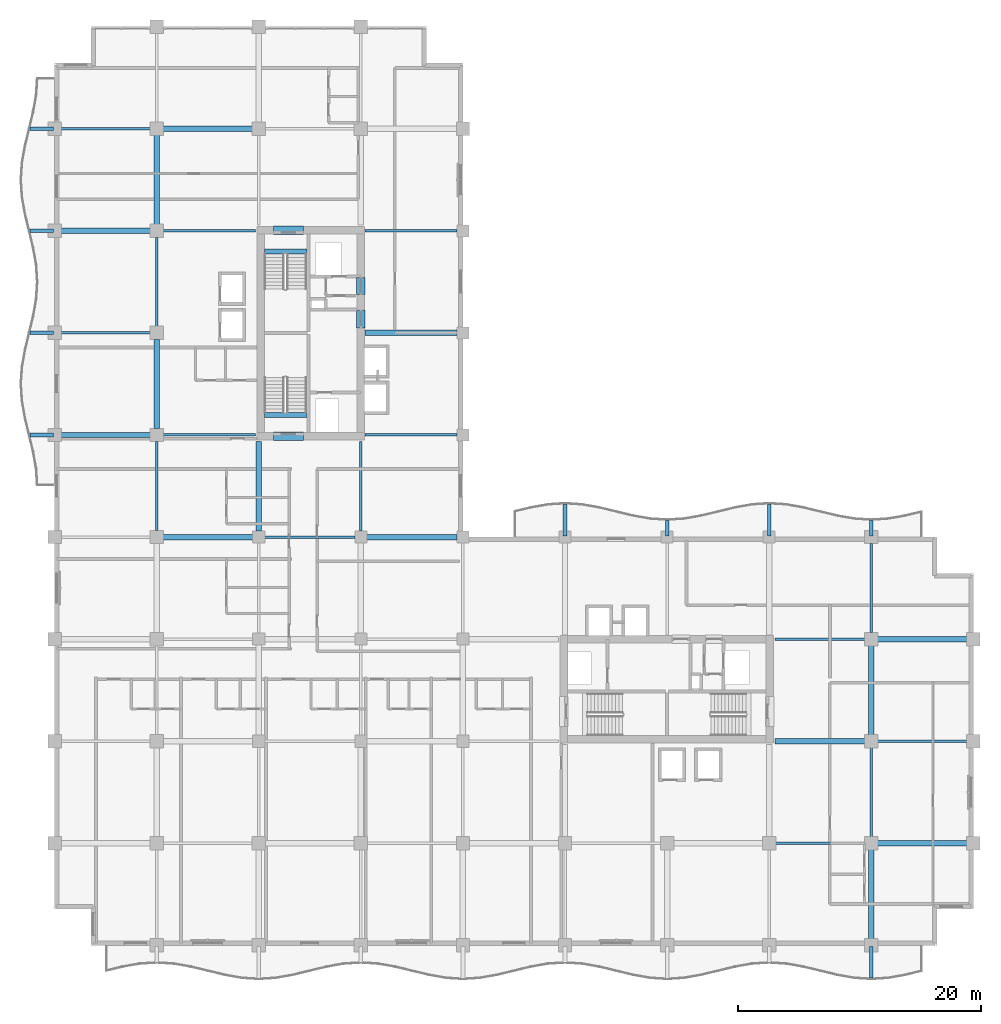
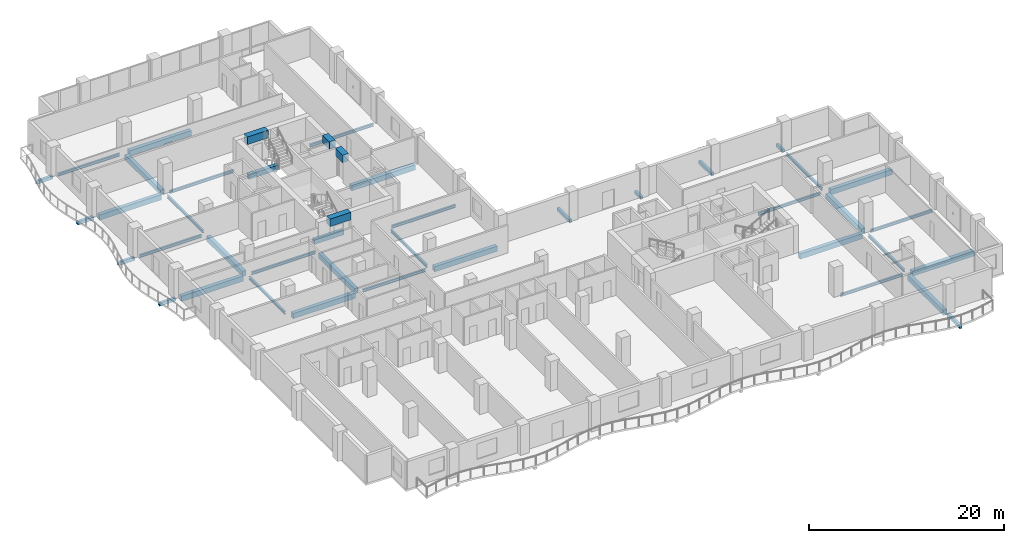
# One storey, part 2 of 19: 44 beams.
"""IFC4 building model written with IfcOpenShell, lengths in metres."""

from ifc_helpers import new_model, si_unit, direction, frame, origin, origin_2d, place, context, subcontext, project, spatial, rectangle, i_section, extrude, material, material_profile, profile_set, type_object, element, save


model = new_model("IFC4")

# Units and contexts
model_context = context("Model", 3, precision=1e-05, world=origin(), true_north=direction((0.0, 1.0)))
body_context = subcontext(model_context, "Body", "Model", "MODEL_VIEW")
ifc_project = project(units=[si_unit("LENGTHUNIT", "METRE"), si_unit("AREAUNIT", "SQUARE_METRE"), si_unit("VOLUMEUNIT", "CUBIC_METRE"), si_unit("PLANEANGLEUNIT", "RADIAN"), si_unit("MASSUNIT", "GRAM", prefix="KILO")], contexts=[model_context])

# Site, building, storey
site_placement = place(None, origin())
site = spatial("IfcSite", under=ifc_project, at=site_placement, CompositionType="ELEMENT")
building_placement = place(site_placement, origin())
building = spatial("IfcBuilding", under=site, at=building_placement, Name="Koriwani Terraces Tower", CompositionType="ELEMENT")
storey_placement = place(building_placement, frame((0.0, 0.0, 190.199951171875)))
storey = spatial("IfcBuildingStorey", under=building, at=storey_placement, Name="L46", CompositionType="ELEMENT", Elevation=190.199951171875)

# Beams
ifc_material_1 = material(Name="Concrete C40/50", Category="concrete")
ifc_material_profile_1 = material_profile(ifc_material_1, rectangle(XDim=0.300048828125, YDim=0.39990234375, at=origin_2d()), Name="Concrete C40/50", Category="LoadBearing")
ifc_profile_set_1 = profile_set([ifc_material_profile_1], Name="Concrete C40/50")
beam_type_1 = type_object("IfcBeamType", Name="BEAM_RC_BALCONY_RIB_300X400", PredefinedType="JOIST", material=ifc_profile_set_1)
beam_1_placement = place(storey_placement, frame((67.199951171875, -2.699951171875, -0.429931640625), z_axis=(0.0, 1.0, 0.0), x_axis=(-1.0, 0.0, 0.0)))
element("IfcBeam", 1, at=beam_1_placement, inside=storey, type_object=beam_type_1, Name="L46 Balcony Bracket Rib S-8", PredefinedType="JOIST", context=body_context, shape_type="SweptSolid", body=[
    extrude(rectangle(XDim=0.300048828125, YDim=0.39990234375, at=origin_2d()), origin(), (0.0, 0.0, 1.0), 2.599853515625),
])
for number, where, z_axis, x_axis, name in (
    (2, (-2.02490234375, 42.0, -0.429931640625), (1.0, 0.0, 0.0), (0.0, 1.0, 0.0), "L46 Balcony Bracket Rib W-1"),
    (3, (-2.02490234375, 50.39990234375, -0.429931640625), (1.0, 0.0, 0.0), (0.0, 1.0, 0.0), "L46 Balcony Bracket Rib W-2"),
    (4, (-2.02490234375, 58.800048828125, -0.429931640625), (1.0, 0.0, 0.0), (0.0, 1.0, 0.0), "L46 Balcony Bracket Rib W-3"),
    (5, (-2.02490234375, 67.199951171875, -0.429931640625), (1.0, 0.0, 0.0), (0.0, 1.0, 0.0), "L46 Balcony Bracket Rib W-4"),
):
    element("IfcBeam", number, at=place(storey_placement, frame(where, z_axis=z_axis, x_axis=x_axis)), inside=storey, type_object=beam_type_1, Name=name, PredefinedType="JOIST", context=body_context, shape_type="SweptSolid", body=[
        extrude(rectangle(XDim=0.300048828125, YDim=0.39990234375, at=origin_2d()), origin(), (0.0, 0.0, 1.0), 1.9248046875),
    ])
beam_2_placement = place(storey_placement, frame((42.0, 33.699951171875, -0.429931640625), z_axis=(0.0, 1.0, 0.0), x_axis=(-1.0, 0.0, 0.0)))
element("IfcBeam", 6, at=beam_2_placement, inside=storey, type_object=beam_type_1, Name="L46 Balcony Bracket Rib NE-1", PredefinedType="JOIST", context=body_context, shape_type="SweptSolid", body=[
    extrude(rectangle(XDim=0.300048828125, YDim=0.39990234375, at=origin_2d()), origin(), (0.0, 0.0, 1.0), 2.60009765625),
])
beam_3_placement = place(storey_placement, frame((50.39990234375, 33.699951171875, -0.429931640625), z_axis=(0.0, 1.0, 0.0), x_axis=(-1.0, 0.0, 0.0)))
element("IfcBeam", 7, at=beam_3_placement, inside=storey, type_object=beam_type_1, Name="L46 Balcony Bracket Rib NE-2", PredefinedType="JOIST", context=body_context, shape_type="SweptSolid", body=[
    extrude(rectangle(XDim=0.300048828125, YDim=0.39990234375, at=origin_2d()), origin(), (0.0, 0.0, 1.0), 1.25),
])
beam_4_placement = place(storey_placement, frame((58.800048828125, 33.699951171875, -0.429931640625), z_axis=(0.0, 1.0, 0.0), x_axis=(-1.0, 0.0, 0.0)))
element("IfcBeam", 8, at=beam_4_placement, inside=storey, type_object=beam_type_1, Name="L46 Balcony Bracket Rib NE-3", PredefinedType="JOIST", context=body_context, shape_type="SweptSolid", body=[
    extrude(rectangle(XDim=0.300048828125, YDim=0.39990234375, at=origin_2d()), origin(), (0.0, 0.0, 1.0), 2.60009765625),
])
beam_5_placement = place(storey_placement, frame((67.199951171875, 33.699951171875, -0.429931640625), z_axis=(0.0, 1.0, 0.0), x_axis=(-1.0, 0.0, 0.0)))
element("IfcBeam", 9, at=beam_5_placement, inside=storey, type_object=beam_type_1, Name="L46 Balcony Bracket Rib NE-4", PredefinedType="JOIST", context=body_context, shape_type="SweptSolid", body=[
    extrude(rectangle(XDim=0.300048828125, YDim=0.39990234375, at=origin_2d()), origin(), (0.0, 0.0, 1.0), 1.25),
])
ifc_material_2 = material(Name="Concrete C60/75", Category="concrete")
ifc_material_profile_2 = material_profile(ifc_material_2, rectangle(XDim=0.699951171875, YDim=0.949951171875, at=origin_2d()), Name="Concrete C60/75", Category="LoadBearing")
ifc_profile_set_2 = profile_set([ifc_material_profile_2], Name="Concrete C60/75")
beam_type_2 = type_object("IfcBeamType", Name="BEAM_RC_COUPLING_700X950", PredefinedType="LINTEL", material=ifc_profile_set_2)
beam_6_placement = place(storey_placement, frame((25.199951171875, 50.800048828125, 2.9951171875), z_axis=(0.0, 1.0, 0.0), x_axis=(-1.0, 0.0, 0.0)))
element("IfcBeam", 10, at=beam_6_placement, inside=storey, type_object=beam_type_2, Name="L46 Core Coupling Lintel Beam WE1", PredefinedType="LINTEL", context=body_context, shape_type="SweptSolid", body=[
    extrude(rectangle(XDim=0.699951171875, YDim=0.949951171875, at=origin_2d()), origin(), (0.0, 0.0, 1.0), 1.47998046875),
])
beam_7_placement = place(storey_placement, frame((25.199951171875, 53.550048828125, 2.9951171875), z_axis=(0.0, 1.0, 0.0), x_axis=(-1.0, 0.0, 0.0)))
element("IfcBeam", 11, at=beam_7_placement, inside=storey, type_object=beam_type_2, Name="L46 Core Coupling Lintel Beam WE2", PredefinedType="LINTEL", context=body_context, shape_type="SweptSolid", body=[
    extrude(rectangle(XDim=0.699951171875, YDim=0.949951171875, at=origin_2d()), origin(), (0.0, 0.0, 1.0), 1.39990234375),
])
for number, where, z_axis, x_axis, name in (
    (12, (18.0, 41.89990234375, 2.9951171875), (1.0, 0.0, 0.0), (0.0, 1.0, 0.0), "L46 Core Coupling Lintel Beam WS"),
    (13, (18.0, 58.85009765625, 2.9951171875), (1.0, 0.0, 0.0), (0.0, 1.0, 0.0), "L46 Core Coupling Lintel Beam WN"),
):
    element("IfcBeam", number, at=place(storey_placement, frame(where, z_axis=z_axis, x_axis=x_axis)), inside=storey, type_object=beam_type_2, Name=name, PredefinedType="LINTEL", context=body_context, shape_type="SweptSolid", body=[
        extrude(rectangle(XDim=0.699951171875, YDim=0.949951171875, at=origin_2d()), origin(), (0.0, 0.0, 1.0), 2.5),
    ])
ifc_material_profile_3 = material_profile(ifc_material_1, rectangle(XDim=0.39990234375, YDim=0.60009765625, at=origin_2d()), Name="Concrete C40/50", Category="LoadBearing")
ifc_profile_set_3 = profile_set([ifc_material_profile_3], Name="Concrete C40/50")
beam_type_3 = type_object("IfcBeamType", Name="BEAM_RC_GRID_400X600", PredefinedType="BEAM", material=ifc_profile_set_3)
for number, where, z_axis, x_axis, name in (
    (14, (17.25, 43.655029296875, -0.300048828125), (1.0, 0.0, 0.0), (0.0, 1.0, 0.0), "L46 Stairwell Header Trimmer Beam ST-W1"),
    (15, (17.25, 57.094970703125, -0.300048828125), (1.0, 0.0, 0.0), (0.0, 1.0, 0.0), "L46 Stairwell Header Trimmer Beam ST-W2"),
):
    element("IfcBeam", number, at=place(storey_placement, frame(where, z_axis=z_axis, x_axis=x_axis)), inside=storey, type_object=beam_type_3, Name=name, PredefinedType="BEAM", context=body_context, shape_type="SweptSolid", body=[
        extrude(rectangle(XDim=0.39990234375, YDim=0.60009765625, at=origin_2d()), origin(), (0.0, 0.0, 1.0), 3.5),
    ])
ifc_material_3 = material(Name="Concrete C50/60", Category="concrete")
ifc_material_profile_4 = material_profile(ifc_material_3, rectangle(XDim=0.449951171875, YDim=0.64990234375, at=origin_2d()), Name="Concrete C50/60", Category="LoadBearing")
ifc_profile_set_4 = profile_set([ifc_material_profile_4], Name="Concrete C50/60")
beam_type_4 = type_object("IfcBeamType", Name="BEAM_RC_GRID_450X650", PredefinedType="BEAM", material=ifc_profile_set_4)
beam_8_placement = place(storey_placement, frame((67.72998046875, 8.39990234375, -0.554931640625), z_axis=(1.0, 0.0, 0.0), x_axis=(0.0, 1.0, 0.0)))
element("IfcBeam", 16, at=beam_8_placement, inside=storey, type_object=beam_type_4, Name="L46 Grid Beam B (67.2-75.6m)", PredefinedType="BEAM", context=body_context, shape_type="SweptSolid", body=[
    extrude(rectangle(XDim=0.449951171875, YDim=0.64990234375, at=origin_2d()), origin(), (0.0, 0.0, 1.0), 7.340087890625),
])
beam_9_placement = place(storey_placement, frame((59.280029296875, 16.800048828125, -0.554931640625), z_axis=(1.0, 0.0, 0.0), x_axis=(0.0, 1.0, 0.0)))
element("IfcBeam", 17, at=beam_9_placement, inside=storey, type_object=beam_type_4, Name="L46 Grid Beam C (58.8-67.2m)", PredefinedType="BEAM", context=body_context, shape_type="SweptSolid", body=[
    extrude(rectangle(XDim=0.449951171875, YDim=0.64990234375, at=origin_2d()), origin(), (0.0, 0.0, 1.0), 7.389892578125),
])
beam_10_placement = place(storey_placement, frame((67.72998046875, 25.199951171875, -0.554931640625), z_axis=(1.0, 0.0, 0.0), x_axis=(0.0, 1.0, 0.0)))
element("IfcBeam", 18, at=beam_10_placement, inside=storey, type_object=beam_type_4, Name="L46 Grid Beam D (67.2-75.6m)", PredefinedType="BEAM", context=body_context, shape_type="SweptSolid", body=[
    extrude(rectangle(XDim=0.449951171875, YDim=0.64990234375, at=origin_2d()), origin(), (0.0, 0.0, 1.0), 7.340087890625),
])
beam_11_placement = place(storey_placement, frame((8.929931640625, 33.60009765625, -0.554931640625), z_axis=(1.0, 0.0, 0.0), x_axis=(0.0, 1.0, 0.0)))
element("IfcBeam", 19, at=beam_11_placement, inside=storey, type_object=beam_type_4, Name="L46 Grid Beam E (8.4-16.8m)", PredefinedType="BEAM", context=body_context, shape_type="SweptSolid", body=[
    extrude(rectangle(XDim=0.449951171875, YDim=0.64990234375, at=origin_2d()), origin(), (0.0, 0.0, 1.0), 7.39013671875),
])
beam_12_placement = place(storey_placement, frame((25.679931640625, 33.60009765625, -0.554931640625), z_axis=(1.0, 0.0, 0.0), x_axis=(0.0, 1.0, 0.0)))
element("IfcBeam", 20, at=beam_12_placement, inside=storey, type_object=beam_type_4, Name="L46 Grid Beam E (25.2-33.6m)", PredefinedType="BEAM", context=body_context, shape_type="SweptSolid", body=[
    extrude(rectangle(XDim=0.449951171875, YDim=0.64990234375, at=origin_2d()), origin(), (0.0, 0.0, 1.0), 7.440185546875),
])
beam_13_placement = place(storey_placement, frame((0.530029296875, 42.0, -0.554931640625), z_axis=(1.0, 0.0, 0.0), x_axis=(0.0, 1.0, 0.0)))
element("IfcBeam", 21, at=beam_13_placement, inside=storey, type_object=beam_type_4, Name="L46 Grid Beam F (0.0-8.4m)", PredefinedType="BEAM", context=body_context, shape_type="SweptSolid", body=[
    extrude(rectangle(XDim=0.449951171875, YDim=0.64990234375, at=origin_2d()), origin(), (0.0, 0.0, 1.0), 7.340087890625),
])
beam_14_placement = place(storey_placement, frame((25.554931640625, 50.39990234375, -0.554931640625), z_axis=(1.0, 0.0, 0.0), x_axis=(0.0, 1.0, 0.0)))
element("IfcBeam", 22, at=beam_14_placement, inside=storey, type_object=beam_type_4, Name="L46 Grid Beam G (25.2-33.6m)", PredefinedType="BEAM", context=body_context, shape_type="SweptSolid", body=[
    extrude(rectangle(XDim=0.449951171875, YDim=0.64990234375, at=origin_2d()), origin(), (0.0, 0.0, 1.0), 7.565185546875),
])
for number, where, z_axis, x_axis, name in (
    (23, (0.530029296875, 58.800048828125, -0.554931640625), (1.0, 0.0, 0.0), (0.0, 1.0, 0.0), "L46 Grid Beam H (0.0-8.4m)"),
    (24, (8.929931640625, 67.199951171875, -0.554931640625), (1.0, 0.0, 0.0), (0.0, 1.0, 0.0), "L46 Grid Beam I (8.4-16.8m)"),
    (25, (8.39990234375, 42.530029296875, -0.554931640625), (0.0, 1.0, 0.0), (-1.0, 0.0, 0.0), "L46 Grid Beam 2 (42.0-50.4m)"),
):
    element("IfcBeam", number, at=place(storey_placement, frame(where, z_axis=z_axis, x_axis=x_axis)), inside=storey, type_object=beam_type_4, Name=name, PredefinedType="BEAM", context=body_context, shape_type="SweptSolid", body=[
        extrude(rectangle(XDim=0.449951171875, YDim=0.64990234375, at=origin_2d()), origin(), (0.0, 0.0, 1.0), 7.340087890625),
    ])
beam_15_placement = place(storey_placement, frame((8.39990234375, 59.330078125, -0.554931640625), z_axis=(0.0, 1.0, 0.0), x_axis=(-1.0, 0.0, 0.0)))
element("IfcBeam", 26, at=beam_15_placement, inside=storey, type_object=beam_type_4, Name="L46 Grid Beam 2 (58.8-67.2m)", PredefinedType="BEAM", context=body_context, shape_type="SweptSolid", body=[
    extrude(rectangle(XDim=0.449951171875, YDim=0.64990234375, at=origin_2d()), origin(), (0.0, 0.0, 1.0), 7.33984375),
])
beam_16_placement = place(storey_placement, frame((16.800048828125, 34.080078125, -0.554931640625), z_axis=(0.0, 1.0, 0.0), x_axis=(-1.0, 0.0, 0.0)))
element("IfcBeam", 27, at=beam_16_placement, inside=storey, type_object=beam_type_4, Name="L46 Grid Beam 3 (33.6-42.0m)", PredefinedType="BEAM", context=body_context, shape_type="SweptSolid", body=[
    extrude(rectangle(XDim=0.449951171875, YDim=0.64990234375, at=origin_2d()), origin(), (0.0, 0.0, 1.0), 7.389892578125),
])
beam_17_placement = place(storey_placement, frame((67.199951171875, 0.530029296875, -0.554931640625), z_axis=(0.0, 1.0, 0.0), x_axis=(-1.0, 0.0, 0.0)))
element("IfcBeam", 28, at=beam_17_placement, inside=storey, type_object=beam_type_4, Name="L46 Grid Beam 9 (0.0-8.4m)", PredefinedType="BEAM", context=body_context, shape_type="SweptSolid", body=[
    extrude(rectangle(XDim=0.449951171875, YDim=0.64990234375, at=origin_2d()), origin(), (0.0, 0.0, 1.0), 7.340087890625),
])
beam_18_placement = place(storey_placement, frame((67.199951171875, 17.330078125, -0.554931640625), z_axis=(0.0, 1.0, 0.0), x_axis=(-1.0, 0.0, 0.0)))
element("IfcBeam", 29, at=beam_18_placement, inside=storey, type_object=beam_type_4, Name="L46 Grid Beam 9 (16.8-25.2m)", PredefinedType="BEAM", context=body_context, shape_type="SweptSolid", body=[
    extrude(rectangle(XDim=0.449951171875, YDim=0.64990234375, at=origin_2d()), origin(), (0.0, 0.0, 1.0), 7.33984375),
])
ifc_material_4 = material(Name="Steel ASTM A572 Grade 50", Category="steel")
ifc_material_profile_5 = material_profile(ifc_material_4, i_section(OverallWidth=0.205078125, OverallDepth=0.35400390625, WebThickness=0.009521484375, FlangeThickness=0.016845703125, at=origin_2d()), Name="Steel ASTM A572 Grade 50", Category="LoadBearing")
ifc_profile_set_5 = profile_set([ifc_material_profile_5], Name="Steel ASTM A572 Grade 50")
beam_type_5 = type_object("IfcBeamType", Name="STEEL_BEAM_W360X79", PredefinedType="JOIST", material=ifc_profile_set_5)
beam_19_placement = place(storey_placement, frame((59.330078125, 8.39990234375, -0.406982421875), z_axis=(1.0, 0.0, 0.0), x_axis=(0.0, 1.0, 0.0)))
element("IfcBeam", 30, at=beam_19_placement, inside=storey, type_object=beam_type_5, Name="L46 Grid Beam B (58.8-67.2m)", PredefinedType="JOIST", context=body_context, shape_type="SweptSolid", body=[
    extrude(i_section(OverallWidth=0.205078125, OverallDepth=0.35400390625, WebThickness=0.009521484375, FlangeThickness=0.016845703125, at=origin_2d()), origin(), (0.0, 0.0, 1.0), 7.33984375),
])
beam_20_placement = place(storey_placement, frame((67.72998046875, 16.800048828125, -0.406982421875), z_axis=(1.0, 0.0, 0.0), x_axis=(0.0, 1.0, 0.0)))
element("IfcBeam", 31, at=beam_20_placement, inside=storey, type_object=beam_type_5, Name="L46 Grid Beam C (67.2-75.6m)", PredefinedType="JOIST", context=body_context, shape_type="SweptSolid", body=[
    extrude(i_section(OverallWidth=0.205078125, OverallDepth=0.35400390625, WebThickness=0.009521484375, FlangeThickness=0.016845703125, at=origin_2d()), origin(), (0.0, 0.0, 1.0), 7.340087890625),
])
beam_21_placement = place(storey_placement, frame((59.280029296875, 25.199951171875, -0.406982421875), z_axis=(1.0, 0.0, 0.0), x_axis=(0.0, 1.0, 0.0)))
element("IfcBeam", 32, at=beam_21_placement, inside=storey, type_object=beam_type_5, Name="L46 Grid Beam D (58.8-67.2m)", PredefinedType="JOIST", context=body_context, shape_type="SweptSolid", body=[
    extrude(i_section(OverallWidth=0.205078125, OverallDepth=0.35400390625, WebThickness=0.009521484375, FlangeThickness=0.016845703125, at=origin_2d()), origin(), (0.0, 0.0, 1.0), 7.389892578125),
])
beam_22_placement = place(storey_placement, frame((17.280029296875, 33.60009765625, -0.406982421875), z_axis=(1.0, 0.0, 0.0), x_axis=(0.0, 1.0, 0.0)))
element("IfcBeam", 33, at=beam_22_placement, inside=storey, type_object=beam_type_5, Name="L46 Grid Beam E (16.8-25.2m)", PredefinedType="JOIST", context=body_context, shape_type="SweptSolid", body=[
    extrude(i_section(OverallWidth=0.205078125, OverallDepth=0.35400390625, WebThickness=0.009521484375, FlangeThickness=0.016845703125, at=origin_2d()), origin(), (0.0, 0.0, 1.0), 7.43994140625),
])
beam_23_placement = place(storey_placement, frame((8.929931640625, 42.0, -0.406982421875), z_axis=(1.0, 0.0, 0.0), x_axis=(0.0, 1.0, 0.0)))
element("IfcBeam", 34, at=beam_23_placement, inside=storey, type_object=beam_type_5, Name="L46 Grid Beam F (8.4-16.8m)", PredefinedType="JOIST", context=body_context, shape_type="SweptSolid", body=[
    extrude(i_section(OverallWidth=0.205078125, OverallDepth=0.35400390625, WebThickness=0.009521484375, FlangeThickness=0.016845703125, at=origin_2d()), origin(), (0.0, 0.0, 1.0), 7.590087890625),
])
beam_24_placement = place(storey_placement, frame((25.554931640625, 42.0, -0.406982421875), z_axis=(1.0, 0.0, 0.0), x_axis=(0.0, 1.0, 0.0)))
element("IfcBeam", 35, at=beam_24_placement, inside=storey, type_object=beam_type_5, Name="L46 Grid Beam F (25.2-33.6m)", PredefinedType="JOIST", context=body_context, shape_type="SweptSolid", body=[
    extrude(i_section(OverallWidth=0.205078125, OverallDepth=0.35400390625, WebThickness=0.009521484375, FlangeThickness=0.016845703125, at=origin_2d()), origin(), (0.0, 0.0, 1.0), 7.565185546875),
])
beam_25_placement = place(storey_placement, frame((0.530029296875, 50.39990234375, -0.406982421875), z_axis=(1.0, 0.0, 0.0), x_axis=(0.0, 1.0, 0.0)))
element("IfcBeam", 36, at=beam_25_placement, inside=storey, type_object=beam_type_5, Name="L46 Grid Beam G (0.0-8.4m)", PredefinedType="JOIST", context=body_context, shape_type="SweptSolid", body=[
    extrude(i_section(OverallWidth=0.205078125, OverallDepth=0.35400390625, WebThickness=0.009521484375, FlangeThickness=0.016845703125, at=origin_2d()), origin(), (0.0, 0.0, 1.0), 7.340087890625),
])
beam_26_placement = place(storey_placement, frame((8.929931640625, 58.800048828125, -0.406982421875), z_axis=(1.0, 0.0, 0.0), x_axis=(0.0, 1.0, 0.0)))
element("IfcBeam", 37, at=beam_26_placement, inside=storey, type_object=beam_type_5, Name="L46 Grid Beam H (8.4-16.8m)", PredefinedType="JOIST", context=body_context, shape_type="SweptSolid", body=[
    extrude(i_section(OverallWidth=0.205078125, OverallDepth=0.35400390625, WebThickness=0.009521484375, FlangeThickness=0.016845703125, at=origin_2d()), origin(), (0.0, 0.0, 1.0), 7.590087890625),
])
beam_27_placement = place(storey_placement, frame((25.554931640625, 58.800048828125, -0.406982421875), z_axis=(1.0, 0.0, 0.0), x_axis=(0.0, 1.0, 0.0)))
element("IfcBeam", 38, at=beam_27_placement, inside=storey, type_object=beam_type_5, Name="L46 Grid Beam H (25.2-33.6m)", PredefinedType="JOIST", context=body_context, shape_type="SweptSolid", body=[
    extrude(i_section(OverallWidth=0.205078125, OverallDepth=0.35400390625, WebThickness=0.009521484375, FlangeThickness=0.016845703125, at=origin_2d()), origin(), (0.0, 0.0, 1.0), 7.565185546875),
])
for number, where, z_axis, x_axis, name in (
    (39, (0.530029296875, 67.199951171875, -0.406982421875), (1.0, 0.0, 0.0), (0.0, 1.0, 0.0), "L46 Grid Beam I (0.0-8.4m)"),
    (40, (8.39990234375, 34.1298828125, -0.406982421875), (0.0, 1.0, 0.0), (-1.0, 0.0, 0.0), "L46 Grid Beam 2 (33.6-42.0m)"),
    (41, (8.39990234375, 50.929931640625, -0.406982421875), (0.0, 1.0, 0.0), (-1.0, 0.0, 0.0), "L46 Grid Beam 2 (50.4-58.8m)"),
):
    element("IfcBeam", number, at=place(storey_placement, frame(where, z_axis=z_axis, x_axis=x_axis)), inside=storey, type_object=beam_type_5, Name=name, PredefinedType="JOIST", context=body_context, shape_type="SweptSolid", body=[
        extrude(i_section(OverallWidth=0.205078125, OverallDepth=0.35400390625, WebThickness=0.009521484375, FlangeThickness=0.016845703125, at=origin_2d()), origin(), (0.0, 0.0, 1.0), 7.340087890625),
    ])
beam_28_placement = place(storey_placement, frame((25.199951171875, 34.080078125, -0.406982421875), z_axis=(0.0, 1.0, 0.0), x_axis=(-1.0, 0.0, 0.0)))
element("IfcBeam", 42, at=beam_28_placement, inside=storey, type_object=beam_type_5, Name="L46 Grid Beam 4 (33.6-42.0m)", PredefinedType="JOIST", context=body_context, shape_type="SweptSolid", body=[
    extrude(i_section(OverallWidth=0.205078125, OverallDepth=0.35400390625, WebThickness=0.009521484375, FlangeThickness=0.016845703125, at=origin_2d()), origin(), (0.0, 0.0, 1.0), 7.389892578125),
])
for number, where, z_axis, x_axis, name in (
    (43, (67.199951171875, 8.929931640625, -0.406982421875), (0.0, 1.0, 0.0), (-1.0, 0.0, 0.0), "L46 Grid Beam 9 (8.4-16.8m)"),
    (44, (67.199951171875, 25.72998046875, -0.406982421875), (0.0, 1.0, 0.0), (-1.0, 0.0, 0.0), "L46 Grid Beam 9 (25.2-33.6m)"),
):
    element("IfcBeam", number, at=place(storey_placement, frame(where, z_axis=z_axis, x_axis=x_axis)), inside=storey, type_object=beam_type_5, Name=name, PredefinedType="JOIST", context=body_context, shape_type="SweptSolid", body=[
        extrude(i_section(OverallWidth=0.205078125, OverallDepth=0.35400390625, WebThickness=0.009521484375, FlangeThickness=0.016845703125, at=origin_2d()), origin(), (0.0, 0.0, 1.0), 7.340087890625),
    ])

save(model, "model.ifc")
